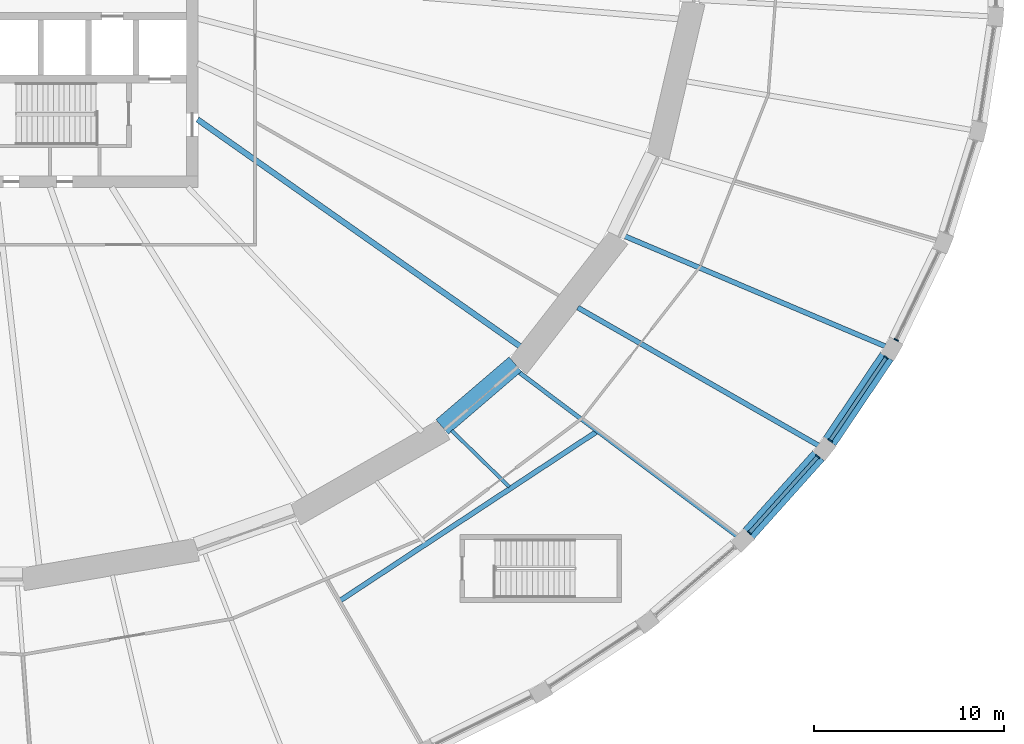
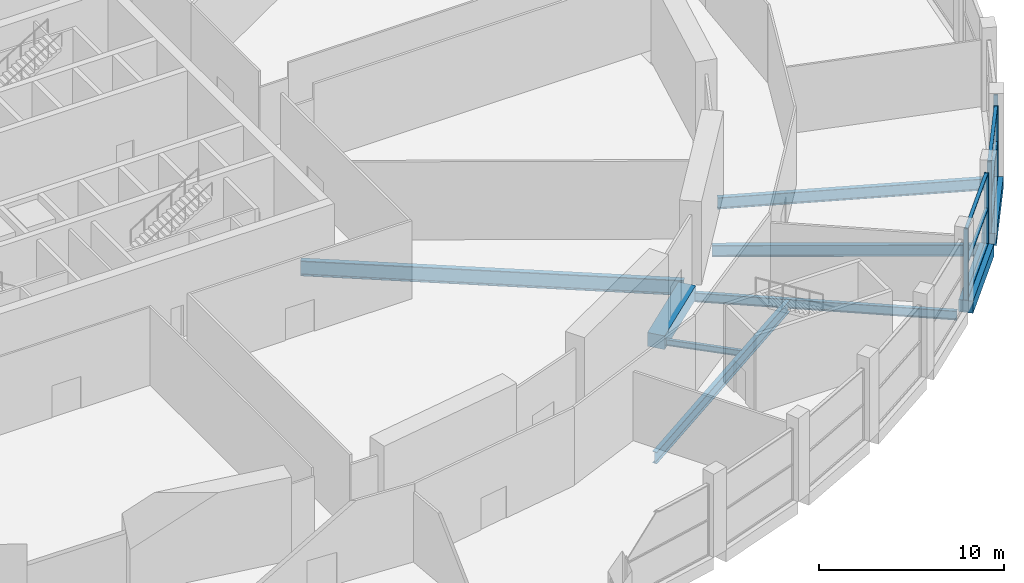
# One storey, part 8 of 29: 11 members, 9 beams, 3 elements without a shape of their own.
"""IFC4 building model written with IfcOpenShell, lengths in metres."""

from ifc_helpers import new_model, si_unit, direction, frame, origin, origin_2d, place, context, subcontext, project, spatial, rectangle, i_section, extrude, material, material_profile, profile_set, type_object, element, aggregate, save


model = new_model("IFC4")

# Units and contexts
model_context = context("Model", 3, precision=1e-05, world=origin(), true_north=direction((0.0, 1.0)))
body_context = subcontext(model_context, "Body", "Model", "MODEL_VIEW")
ifc_project = project(units=[si_unit("LENGTHUNIT", "METRE"), si_unit("AREAUNIT", "SQUARE_METRE"), si_unit("VOLUMEUNIT", "CUBIC_METRE"), si_unit("PLANEANGLEUNIT", "RADIAN"), si_unit("MASSUNIT", "GRAM", prefix="KILO")], contexts=[model_context])

# Site, building, storey
site_placement = place(None, origin())
site = spatial("IfcSite", under=ifc_project, at=site_placement, CompositionType="ELEMENT")
building_placement = place(site_placement, origin())
building = spatial("IfcBuilding", under=site, at=building_placement, Name="Halqa Exchange Tower", CompositionType="ELEMENT")
storey_placement = place(building_placement, frame((0.0, 0.0, 12.5)))
storey = spatial("IfcBuildingStorey", under=building, at=storey_placement, Name="L02", CompositionType="ELEMENT", Elevation=12.5)

# Curtain wall, members
ifc_material_1 = material(Name="Anodised aluminium and clear glass", Category="aluminium")
curtain_wall_type = type_object("IfcCurtainWallType", Name="Exchange hall glazing", PredefinedType="NOTDEFINED", material=ifc_material_1)
curtain_wall_1_placement = place(storey_placement, origin())
curtain_wall_1 = element("IfcCurtainWall", 1, at=curtain_wall_1_placement, inside=storey, type_object=curtain_wall_type, Name="Exchange hall glazing run P43", PredefinedType="NOTDEFINED")
ifc_material_2 = material(Name="Anodised aluminium", Category="aluminium")
ifc_material_profile_1 = material_profile(ifc_material_2, rectangle(XDim=0.25, YDim=0.070068359375, at=origin_2d()), Name="AL 70x250")
ifc_profile_set_1 = profile_set([ifc_material_profile_1], Name="Anodised aluminium")
member_type_1 = type_object("IfcMemberType", Name="Exchange hall glazing mullion 70 x 250", PredefinedType="MULLION", material=ifc_profile_set_1)
member_1_placement = place(storey_placement, frame((40.9560546875, -30.12890625, 0.0), z_axis=(0.0, 0.0, 1.0), x_axis=(-0.74514769466, 0.666899477539, 0.0)))
member_1 = element("IfcMember", 2, at=member_1_placement, type_object=member_type_1, Name="P43 mullion 1", PredefinedType="MULLION", context=body_context, shape_type="SweptSolid", body=[
    extrude(rectangle(XDim=0.25, YDim=0.070068359375, at=origin_2d()), origin(), (0.0, 0.0, 1.0), 4.699951171875),
])
member_2_placement = place(storey_placement, frame((44.542724609375, -26.12158203125, 0.0), z_axis=(0.0, 0.0, 1.0), x_axis=(-0.74514769466, 0.666899477539, 0.0)))
member_2 = element("IfcMember", 3, at=member_2_placement, type_object=member_type_1, Name="P43 mullion 2", PredefinedType="MULLION", context=body_context, shape_type="SweptSolid", body=[
    extrude(rectangle(XDim=0.25, YDim=0.070068359375, at=origin_2d()), origin(), (0.0, 0.0, 1.0), 4.699951171875),
])

curtain_wall_2_placement = place(storey_placement, origin())
curtain_wall_2 = element("IfcCurtainWall", 4, at=curtain_wall_2_placement, inside=storey, type_object=curtain_wall_type, Name="Exchange hall glazing run P44", PredefinedType="NOTDEFINED")
member_3_placement = place(storey_placement, frame((45.1982421875, -25.279052734375, 0.0), z_axis=(0.0, 0.0, 1.0), x_axis=(-0.8294895023, 0.55852230535, 0.0)))
member_3 = element("IfcMember", 5, at=member_3_placement, type_object=member_type_1, Name="P44 mullion 1", PredefinedType="MULLION", context=body_context, shape_type="SweptSolid", body=[
    extrude(rectangle(XDim=0.25, YDim=0.070068359375, at=origin_2d()), origin(), (0.0, 0.0, 1.0), 4.699951171875),
])
member_4_placement = place(storey_placement, frame((48.13232421875, -20.921630859375, 0.0), z_axis=(0.0, 0.0, 1.0), x_axis=(-0.8294895023, 0.55852230535, 0.0)))
member_4 = element("IfcMember", 6, at=member_4_placement, type_object=member_type_1, Name="P44 mullion 2", PredefinedType="MULLION", context=body_context, shape_type="SweptSolid", body=[
    extrude(rectangle(XDim=0.25, YDim=0.070068359375, at=origin_2d()), origin(), (0.0, 0.0, 1.0), 4.699951171875),
])

# Curtain wall, member
curtain_wall_3_placement = place(storey_placement, origin())
curtain_wall_3 = element("IfcCurtainWall", 7, at=curtain_wall_3_placement, inside=storey, type_object=curtain_wall_type, Name="Exchange hall glazing run P45", PredefinedType="NOTDEFINED")
member_5_placement = place(storey_placement, frame((48.663818359375, -19.996337890625, 0.0), z_axis=(0.0, 0.0, 1.0), x_axis=(-0.90043534892, 0.434989864727, 0.0)))
member_5 = element("IfcMember", 8, at=member_5_placement, type_object=member_type_1, Name="P45 mullion 1", PredefinedType="MULLION", context=body_context, shape_type="SweptSolid", body=[
    extrude(rectangle(XDim=0.25, YDim=0.070068359375, at=origin_2d()), origin(), (0.0, 0.0, 1.0), 4.699951171875),
])
aggregate(curtain_wall_3, [member_5])

# Member
ifc_material_profile_2 = material_profile(ifc_material_2, rectangle(XDim=0.199951171875, YDim=0.070068359375, at=origin_2d()), Name="AL 70x200")
ifc_profile_set_2 = profile_set([ifc_material_profile_2], Name="Anodised aluminium")
member_type_2 = type_object("IfcMemberType", Name="Exchange hall glazing transom 70 x 200", PredefinedType="USERDEFINED", material=ifc_profile_set_2)
member_6_placement = place(storey_placement, frame((40.9794921875, -30.10302734375, 0.034912109375), z_axis=(0.666880900978, 0.745164320074, 0.0), x_axis=(-0.745164320074, 0.666880900978, 0.0)))
member_6 = element("IfcMember", 9, at=member_6_placement, type_object=member_type_2, Name="P43 transom 1.1", ObjectType="TRANSOM", PredefinedType="USERDEFINED", context=body_context, shape_type="SweptSolid", body=[
    extrude(rectangle(XDim=0.199951171875, YDim=0.070068359375, at=origin_2d()), origin(), (0.0, 0.0, 1.0), 5.30810546875),
])

member_7_placement = place(storey_placement, frame((40.9794921875, -30.10302734375, 2.35009765625), z_axis=(0.666880900978, 0.745164320074, 0.0), x_axis=(-0.745164320074, 0.666880900978, 0.0)))
member_7 = element("IfcMember", 10, at=member_7_placement, type_object=member_type_2, Name="P43 transom 1.2", ObjectType="TRANSOM", PredefinedType="USERDEFINED", context=body_context, shape_type="SweptSolid", body=[
    extrude(rectangle(XDim=0.199951171875, YDim=0.070068359375, at=origin_2d()), origin(), (0.0, 0.0, 1.0), 5.30810546875),
])

member_8_placement = place(storey_placement, frame((40.9794921875, -30.10302734375, 4.6650390625), z_axis=(0.666880900978, 0.745164320074, 0.0), x_axis=(-0.745164320074, 0.666880900978, 0.0)))
member_8 = element("IfcMember", 11, at=member_8_placement, type_object=member_type_2, Name="P43 transom 1.3", ObjectType="TRANSOM", PredefinedType="USERDEFINED", context=body_context, shape_type="SweptSolid", body=[
    extrude(rectangle(XDim=0.199951171875, YDim=0.070068359375, at=origin_2d()), origin(), (0.0, 0.0, 1.0), 5.30810546875),
])

aggregate(curtain_wall_1, [member_1, member_2, member_6, member_7, member_8])

member_9_placement = place(storey_placement, frame((45.2177734375, -25.250244140625, 0.034912109375), z_axis=(0.558520359636, 0.82949081241, 0.0), x_axis=(-0.82949081241, 0.558520359636, 0.0)))
member_9 = element("IfcMember", 12, at=member_9_placement, type_object=member_type_2, Name="P44 transom 1.1", ObjectType="TRANSOM", PredefinedType="USERDEFINED", context=body_context, shape_type="SweptSolid", body=[
    extrude(rectangle(XDim=0.199951171875, YDim=0.070068359375, at=origin_2d()), origin(), (0.0, 0.0, 1.0), 5.183349609375),
])

member_10_placement = place(storey_placement, frame((45.2177734375, -25.250244140625, 2.35009765625), z_axis=(0.558520359636, 0.82949081241, 0.0), x_axis=(-0.82949081241, 0.558520359636, 0.0)))
member_10 = element("IfcMember", 13, at=member_10_placement, type_object=member_type_2, Name="P44 transom 1.2", ObjectType="TRANSOM", PredefinedType="USERDEFINED", context=body_context, shape_type="SweptSolid", body=[
    extrude(rectangle(XDim=0.199951171875, YDim=0.070068359375, at=origin_2d()), origin(), (0.0, 0.0, 1.0), 5.183349609375),
])

member_11_placement = place(storey_placement, frame((45.2177734375, -25.250244140625, 4.6650390625), z_axis=(0.558520359636, 0.82949081241, 0.0), x_axis=(-0.82949081241, 0.558520359636, 0.0)))
member_11 = element("IfcMember", 14, at=member_11_placement, type_object=member_type_2, Name="P44 transom 1.3", ObjectType="TRANSOM", PredefinedType="USERDEFINED", context=body_context, shape_type="SweptSolid", body=[
    extrude(rectangle(XDim=0.199951171875, YDim=0.070068359375, at=origin_2d()), origin(), (0.0, 0.0, 1.0), 5.183349609375),
])

aggregate(curtain_wall_2, [member_3, member_4, member_9, member_10, member_11])

# Beams
ifc_material_3 = material(Name="Steel S355", Category="steel")
ifc_material_profile_3 = material_profile(ifc_material_3, i_section(OverallWidth=0.300048828125, OverallDepth=1.0, WebThickness=0.01904296875, FlangeThickness=0.035888671875, FilletRadius=0.030029296875, at=origin_2d()), Name="HEB 1000")
ifc_profile_set_3 = profile_set([ifc_material_profile_3], Name="Steel S355")
beam_type_1 = type_object("IfcBeamType", Name="Floor beam HEB 1000", PredefinedType="BEAM", material=ifc_profile_set_3)
beam_1_placement = place(storey_placement, frame((11.972412109375, -8.421875, -0.85009765625), z_axis=(0.817909911418, -0.575346310325, 0.0), x_axis=(0.575346310325, 0.817909911418, 0.0)))
element("IfcBeam", 15, at=beam_1_placement, inside=storey, type_object=beam_type_1, Name="Radial beam 29", PredefinedType="BEAM", context=body_context, shape_type="SweptSolid", body=[
    extrude(i_section(OverallWidth=0.300048828125, OverallDepth=1.0, WebThickness=0.01904296875, FlangeThickness=0.035888671875, FilletRadius=0.030029296875, at=origin_2d()), origin(), (0.0, 0.0, 1.0), 20.804443359375),
])
ifc_material_profile_4 = material_profile(ifc_material_3, i_section(OverallWidth=0.179931640625, OverallDepth=0.39990234375, WebThickness=0.008544921875, FlangeThickness=0.013427734375, FilletRadius=0.02099609375, at=origin_2d()), Name="IPE 400")
ifc_profile_set_4 = profile_set([ifc_material_profile_4], Name="Steel S355")
beam_type_2 = type_object("IfcBeamType", Name="Floor beam IPE 400", PredefinedType="BEAM", material=ifc_profile_set_4)
beam_2_placement = place(storey_placement, frame((25.322265625, -24.757080078125, -0.550048828125), z_axis=(0.715007310884, -0.699116975464, 0.0), x_axis=(0.699116975464, 0.715007310884, 0.0)))
element("IfcBeam", 16, at=beam_2_placement, inside=storey, type_object=beam_type_2, Name="Radial beam 42a", PredefinedType="BEAM", context=body_context, shape_type="SweptSolid", body=[
    extrude(i_section(OverallWidth=0.179931640625, OverallDepth=0.39990234375, WebThickness=0.008544921875, FlangeThickness=0.013427734375, FilletRadius=0.02099609375, at=origin_2d()), origin(), (0.0, 0.0, 1.0), 4.22509765625),
])
ifc_material_profile_5 = material_profile(ifc_material_3, i_section(OverallWidth=0.219970703125, OverallDepth=0.60009765625, WebThickness=0.011962890625, FlangeThickness=0.01904296875, FilletRadius=0.02392578125, at=origin_2d()), Name="IPE 600")
ifc_profile_set_5 = profile_set([ifc_material_profile_5], Name="Steel S355")
beam_type_3 = type_object("IfcBeamType", Name="Floor beam IPE 600", PredefinedType="BEAM", material=ifc_profile_set_5)
beam_3_placement = place(storey_placement, frame((28.875732421875, -21.71240234375, -0.64990234375), z_axis=(0.799257291391, -0.600989003359, 0.0), x_axis=(0.600989003359, 0.799257291391, 0.0)))
element("IfcBeam", 17, at=beam_3_placement, inside=storey, type_object=beam_type_3, Name="Radial beam 43", PredefinedType="BEAM", context=body_context, shape_type="SweptSolid", body=[
    extrude(i_section(OverallWidth=0.219970703125, OverallDepth=0.60009765625, WebThickness=0.011962890625, FlangeThickness=0.01904296875, FilletRadius=0.02392578125, at=origin_2d()), origin(), (0.0, 0.0, 1.0), 14.291259765625),
])
ifc_material_profile_6 = material_profile(ifc_material_3, i_section(OverallWidth=0.264892578125, OverallDepth=0.7529296875, WebThickness=0.01318359375, FlangeThickness=0.01708984375, FilletRadius=0.01708984375, at=origin_2d()), Name="IPE 750x147")
ifc_profile_set_6 = profile_set([ifc_material_profile_6], Name="Steel S355")
beam_type_4 = type_object("IfcBeamType", Name="Floor beam IPE 750x147", PredefinedType="BEAM", material=ifc_profile_set_6)
beam_4_placement = place(storey_placement, frame((31.942626953125, -18.300048828125, -0.7265625), z_axis=(0.867691436398, -0.497103179633, 0.0), x_axis=(0.497103179633, 0.867691436398, 0.0)))
element("IfcBeam", 18, at=beam_4_placement, inside=storey, type_object=beam_type_4, Name="Radial beam 44", PredefinedType="BEAM", context=body_context, shape_type="SweptSolid", body=[
    extrude(i_section(OverallWidth=0.264892578125, OverallDepth=0.7529296875, WebThickness=0.01318359375, FlangeThickness=0.01708984375, FilletRadius=0.01708984375, at=origin_2d()), origin(), (0.0, 0.0, 1.0), 14.555908203125),
])
beam_5_placement = place(storey_placement, frame((34.423583984375, -14.555419921875, -0.7265625), z_axis=(0.921054684963, -0.389433264254, 0.0), x_axis=(0.389433264254, 0.921054684963, 0.0)))
element("IfcBeam", 19, at=beam_5_placement, inside=storey, type_object=beam_type_4, Name="Radial beam 45", PredefinedType="BEAM", context=body_context, shape_type="SweptSolid", body=[
    extrude(i_section(OverallWidth=0.264892578125, OverallDepth=0.7529296875, WebThickness=0.01318359375, FlangeThickness=0.01708984375, FilletRadius=0.01708984375, at=origin_2d()), origin(), (0.0, 0.0, 1.0), 14.83349609375),
])
ifc_material_profile_7 = material_profile(ifc_material_3, i_section(OverallWidth=0.26806640625, OverallDepth=0.77001953125, WebThickness=0.015625, FlangeThickness=0.025390625, FilletRadius=0.01708984375, at=origin_2d()), Name="IPE 750x196")
ifc_profile_set_7 = profile_set([ifc_material_profile_7], Name="Steel S355")
beam_type_5 = type_object("IfcBeamType", Name="Floor beam IPE 750x196", PredefinedType="BEAM", material=ifc_profile_set_7)
beam_6_placement = place(storey_placement, frame((19.467041015625, -33.682373046875, -0.735107421875), z_axis=(0.835204203593, 0.54993994063, 0.0), x_axis=(-0.54993994063, 0.835204203593, 0.0)))
element("IfcBeam", 20, at=beam_6_placement, inside=storey, type_object=beam_type_5, Name="Radial beam TPS2-in", PredefinedType="BEAM", context=body_context, shape_type="SweptSolid", body=[
    extrude(i_section(OverallWidth=0.26806640625, OverallDepth=0.77001953125, WebThickness=0.015625, FlangeThickness=0.025390625, FilletRadius=0.01708984375, at=origin_2d()), origin(), (0.0, 0.0, 1.0), 16.07958984375),
])
ifc_material_4 = material(Name="Concrete C60/75", Category="concrete")
ifc_material_profile_8 = material_profile(ifc_material_4, rectangle(XDim=0.800048828125, YDim=0.800048828125, at=origin_2d()), Name="800 x 800")
ifc_profile_set_8 = profile_set([ifc_material_profile_8], Name="Concrete C60/75")
beam_type_6 = type_object("IfcBeamType", Name="RC podium edge beam 800 x 800 C60/75", PredefinedType="SPANDREL", material=ifc_profile_set_8)
beam_7_placement = place(storey_placement, frame((40.914794921875, -30.175048828125, -0.39990234375), z_axis=(0.666902525907, 0.745144966392, 0.0), x_axis=(-0.745144966392, 0.666902525907, 0.0)))
element("IfcBeam", 21, at=beam_7_placement, inside=storey, type_object=beam_type_6, Name="Podium edge beam 43", PredefinedType="SPANDREL", context=body_context, shape_type="SweptSolid", body=[
    extrude(rectangle(XDim=0.800048828125, YDim=0.800048828125, at=origin_2d()), origin(), (0.0, 0.0, 1.0), 5.501220703125),
])
beam_8_placement = place(storey_placement, frame((45.1630859375, -25.331298828125, -0.39990234375), z_axis=(0.558528358221, 0.829485426673, 0.0), x_axis=(-0.829485426673, 0.558528358221, 0.0)))
element("IfcBeam", 22, at=beam_8_placement, inside=storey, type_object=beam_type_6, Name="Podium edge beam 44", PredefinedType="SPANDREL", context=body_context, shape_type="SweptSolid", body=[
    extrude(rectangle(XDim=0.800048828125, YDim=0.800048828125, at=origin_2d()), origin(), (0.0, 0.0, 1.0), 5.378173828125),
])
ifc_material_profile_9 = material_profile(ifc_material_4, rectangle(XDim=1.0, YDim=0.89990234375, at=origin_2d()), Name="1000 x 900")
ifc_profile_set_9 = profile_set([ifc_material_profile_9], Name="Concrete C60/75")
beam_type_7 = type_object("IfcBeamType", Name="RC spandrel beam 1000 x 900 C60/75", PredefinedType="SPANDREL", material=ifc_profile_set_9)
beam_9_placement = place(storey_placement, frame((24.81982421875, -24.56689453125, -0.449951171875), z_axis=(0.759263417999, 0.650783421799, 0.0), x_axis=(-0.650783421799, 0.759263417999, 0.0)))
element("IfcBeam", 23, at=beam_9_placement, inside=storey, type_object=beam_type_7, Name="Spandrel 28", PredefinedType="SPANDREL", context=body_context, shape_type="SweptSolid", body=[
    extrude(rectangle(XDim=1.0, YDim=0.89990234375, at=origin_2d()), origin(), (0.0, 0.0, 1.0), 5.056884765625),
])

save(model, "model.ifc")
